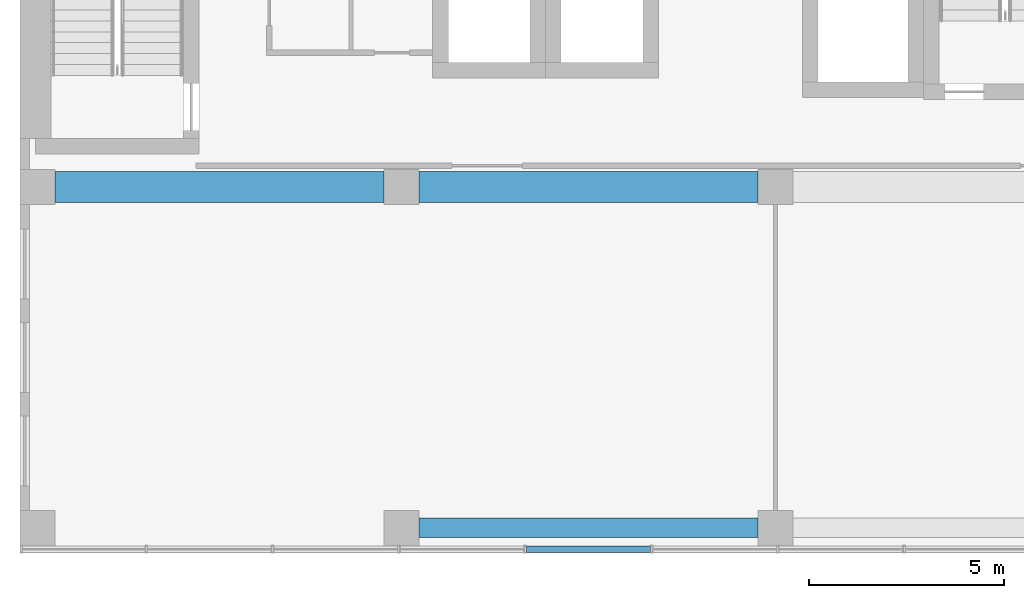
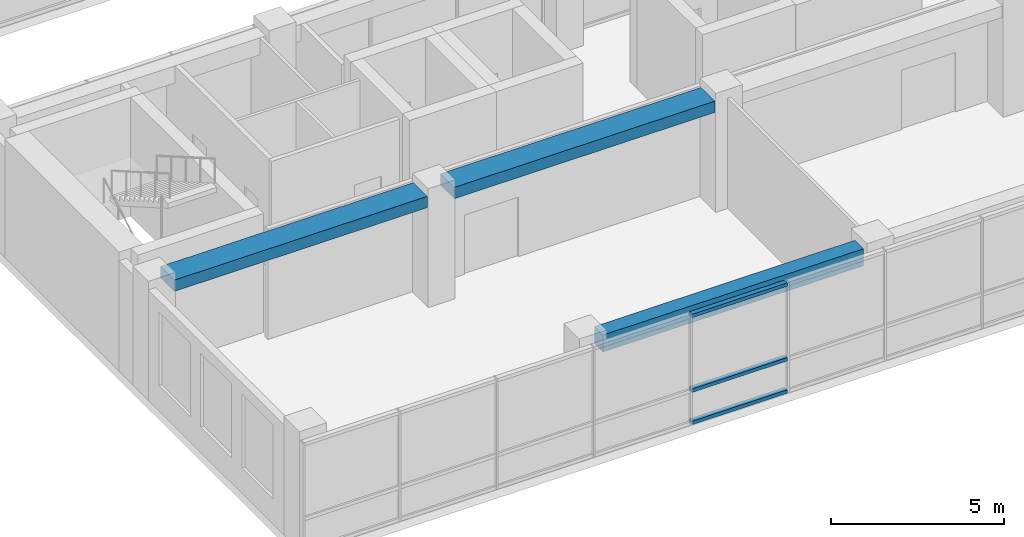
# One storey, part 3 of 38: 3 beams, 3 members, 1 element without a shape of its own.
"""IFC4 building model written with IfcOpenShell, lengths in metres."""

from ifc_helpers import new_model, si_unit, direction, frame, origin, origin_2d, place, context, subcontext, project, spatial, rectangle, hollow_rectangle, extrude, material, layer, layer_set, material_profile, profile_set, type_object, element, aggregate, save


model = new_model("IFC4")

# Units and contexts
model_context = context("Model", 3, precision=1e-05, world=origin(), true_north=direction((0.0, 1.0)))
body_context = subcontext(model_context, "Body", "Model", "MODEL_VIEW")
ifc_project = project(units=[si_unit("LENGTHUNIT", "METRE"), si_unit("AREAUNIT", "SQUARE_METRE"), si_unit("VOLUMEUNIT", "CUBIC_METRE"), si_unit("PLANEANGLEUNIT", "RADIAN"), si_unit("MASSUNIT", "GRAM", prefix="KILO")], contexts=[model_context])

# Site, building, storey
site_placement = place(None, origin())
site = spatial("IfcSite", under=ifc_project, at=site_placement, CompositionType="ELEMENT")
building_placement = place(site_placement, origin())
building = spatial("IfcBuilding", under=site, at=building_placement, Name="Nzadi Deep Aquarium and Research Tower", CompositionType="ELEMENT")
storey_placement = place(building_placement, frame((0.0, 0.0, 65.5)))
storey = spatial("IfcBuildingStorey", under=building, at=storey_placement, Name="L13", CompositionType="ELEMENT", Elevation=65.5)

# Beams
ifc_material_1 = material(Name="Concrete C35/45", Category="concrete")
ifc_material_profile_1 = material_profile(ifc_material_1, rectangle(XDim=0.5, YDim=0.60009765625, at=origin_2d()))
ifc_profile_set_1 = profile_set([ifc_material_profile_1], Name="Concrete C35/45")
beam_type_1 = type_object("IfcBeamType", Name="RC 500x600", PredefinedType="BEAM", material=ifc_profile_set_1)
beam_1_placement = place(storey_placement, frame((10.050048828125, 0.449951171875, 3.60009765625), z_axis=(1.0, 0.0, 0.0), x_axis=(0.0, 1.0, 0.0)))
element("IfcBeam", 1, at=beam_1_placement, inside=storey, type_object=beam_type_1, Name="B-Z1-L13-L1-2", PredefinedType="BEAM", context=body_context, shape_type="SweptSolid", body=[
    extrude(rectangle(XDim=0.5, YDim=0.60009765625, at=origin_2d()), origin(), (0.0, 0.0, 1.0), 8.699951171875),
])
ifc_material_2 = material(Name="Concrete C35/45", Category="concrete")
ifc_material_profile_2 = material_profile(ifc_material_2, rectangle(XDim=0.800048828125, YDim=0.39990234375, at=origin_2d()))
ifc_profile_set_2 = profile_set([ifc_material_profile_2], Name="Concrete C35/45")
beam_type_2 = type_object("IfcBeamType", Name="RC 800x400", PredefinedType="BEAM", material=ifc_profile_set_2)
beam_2_placement = place(storey_placement, frame((0.699951171875, 9.199951171875, 3.699951171875), z_axis=(1.0, 0.0, 0.0), x_axis=(0.0, 1.0, 0.0)))
element("IfcBeam", 2, at=beam_2_placement, inside=storey, type_object=beam_type_2, Name="B-Z1-L13-L2-1", PredefinedType="BEAM", context=body_context, shape_type="SweptSolid", body=[
    extrude(rectangle(XDim=0.800048828125, YDim=0.39990234375, at=origin_2d()), origin(), (0.0, 0.0, 1.0), 8.449951171875),
])
beam_3_placement = place(storey_placement, frame((10.050048828125, 9.199951171875, 3.699951171875), z_axis=(1.0, 0.0, 0.0), x_axis=(0.0, 1.0, 0.0)))
element("IfcBeam", 3, at=beam_3_placement, inside=storey, type_object=beam_type_2, Name="B-Z1-L13-L2-2", PredefinedType="BEAM", context=body_context, shape_type="SweptSolid", body=[
    extrude(rectangle(XDim=0.800048828125, YDim=0.39990234375, at=origin_2d()), origin(), (0.0, 0.0, 1.0), 8.699951171875),
])

# Curtain wall, members
ifc_material_3 = material(Name="Aluminium unitised frame", Category="aluminium")
ifc_layer = layer(ifc_material_3, 0.199951171875)
ifc_layer_set = layer_set([ifc_layer], Name="Aluminium unitised frame")
curtain_wall_type = type_object("IfcCurtainWallType", Name="Curtain wall Unitised 200", PredefinedType="NOTDEFINED", material=ifc_layer_set)
curtain_wall_placement = place(storey_placement, origin())
curtain_wall = element("IfcCurtainWall", 4, at=curtain_wall_placement, inside=storey, type_object=curtain_wall_type, Name="Unitised curtain wall blade A south L13", PredefinedType="NOTDEFINED")
ifc_material_4 = material(Name="Aluminium unitised frame", Category="aluminium")
ifc_material_profile_3 = material_profile(ifc_material_4, hollow_rectangle(XDim=0.159912109375, YDim=0.1201171875, WallThickness=0.0048828125, at=origin_2d()))
ifc_profile_set_3 = profile_set([ifc_material_profile_3], Name="Aluminium unitised frame")
member_type = type_object("IfcMemberType", Name="Transom 120x160 Unitised", PredefinedType="MULLION", material=ifc_profile_set_3)
member_1_placement = place(storey_placement, frame((12.80322265625, -0.10009765625, 0.06005859375), z_axis=(1.0, 0.0, 0.0), x_axis=(0.0, 1.0, 0.0)))
member_1 = element("IfcMember", 5, at=member_1_placement, type_object=member_type, Name="CW057 transom 5.1", PredefinedType="MULLION", context=body_context, shape_type="SweptSolid", body=[
    extrude(hollow_rectangle(XDim=0.159912109375, YDim=0.1201171875, WallThickness=0.0048828125, at=origin_2d()), origin(), (0.0, 0.0, 1.0), 3.183349609375),
])
member_2_placement = place(storey_placement, frame((12.80322265625, -0.10009765625, 1.199951171875), z_axis=(1.0, 0.0, 0.0), x_axis=(0.0, 1.0, 0.0)))
member_2 = element("IfcMember", 6, at=member_2_placement, type_object=member_type, Name="CW057 transom 5.2", PredefinedType="MULLION", context=body_context, shape_type="SweptSolid", body=[
    extrude(hollow_rectangle(XDim=0.159912109375, YDim=0.1201171875, WallThickness=0.0048828125, at=origin_2d()), origin(), (0.0, 0.0, 1.0), 3.183349609375),
])
member_3_placement = place(storey_placement, frame((12.80322265625, -0.10009765625, 3.840087890625), z_axis=(1.0, 0.0, 0.0), x_axis=(0.0, 1.0, 0.0)))
member_3 = element("IfcMember", 7, at=member_3_placement, type_object=member_type, Name="CW057 transom 5.3", PredefinedType="MULLION", context=body_context, shape_type="SweptSolid", body=[
    extrude(hollow_rectangle(XDim=0.159912109375, YDim=0.1201171875, WallThickness=0.0048828125, at=origin_2d()), origin(), (0.0, 0.0, 1.0), 3.183349609375),
])
aggregate(curtain_wall, [member_1, member_2, member_3])

save(model, "model.ifc")
